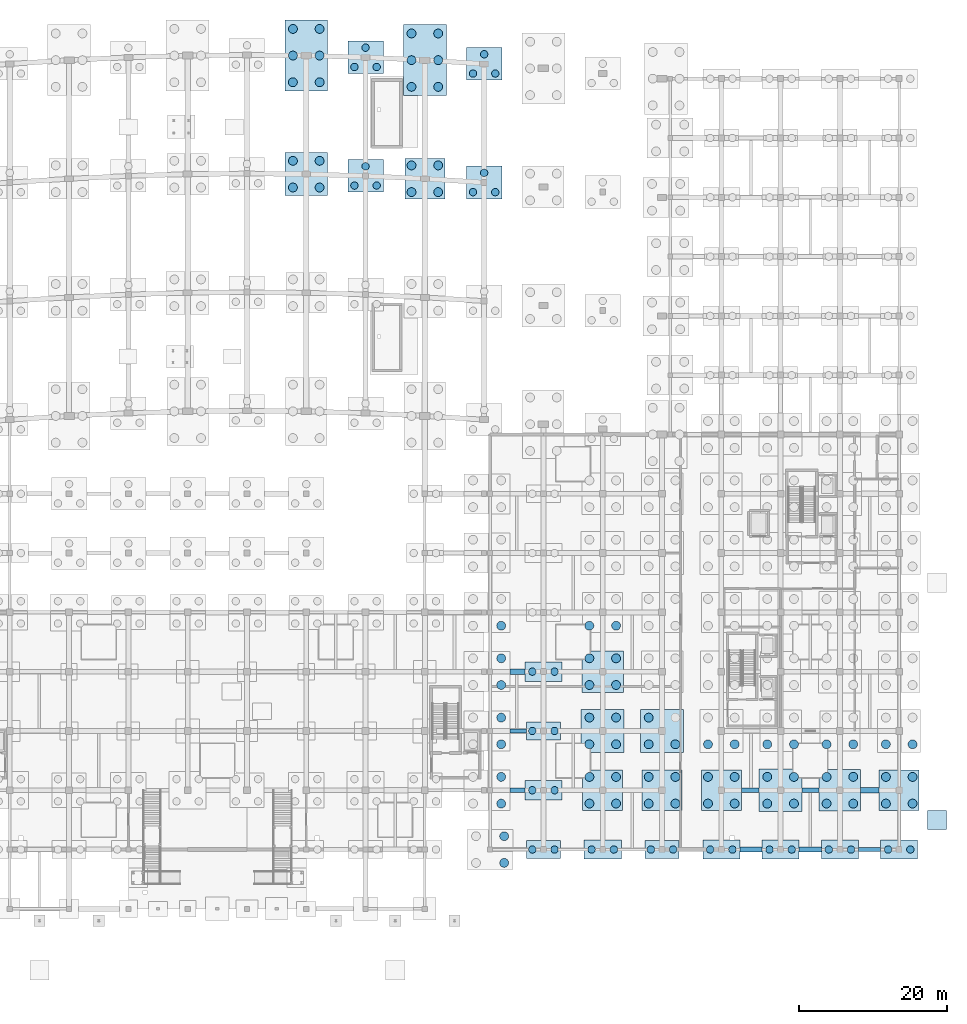
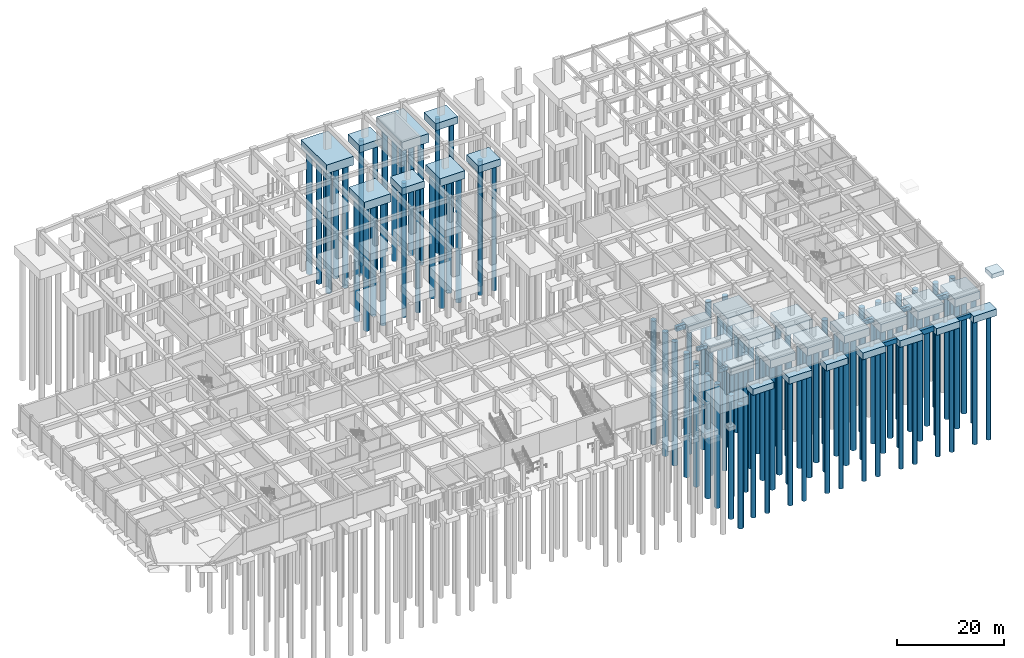
# One storey, part 6 of 45: 106 piles, 37 footings.
"""IFC4 building model written with IfcOpenShell, lengths in metres."""

from ifc_helpers import new_model, si_unit, direction, frame, origin, origin_2d, place, context, subcontext, project, spatial, rectangle, circle, extrude, material, material_profile, profile_set, type_object, element, save


model = new_model("IFC4")

# Units and contexts
model_context = context("Model", 3, precision=1e-05, world=origin(), true_north=direction((0.0, 1.0)))
body_context = subcontext(model_context, "Body", "Model", "MODEL_VIEW")
ifc_project = project(units=[si_unit("LENGTHUNIT", "METRE"), si_unit("AREAUNIT", "SQUARE_METRE"), si_unit("VOLUMEUNIT", "CUBIC_METRE"), si_unit("PLANEANGLEUNIT", "RADIAN"), si_unit("MASSUNIT", "GRAM", prefix="KILO")], contexts=[model_context])

# Site, building, storey
site_placement = place(None, origin())
site = spatial("IfcSite", under=ifc_project, at=site_placement, CompositionType="ELEMENT")
building_placement = place(site_placement, origin())
building = spatial("IfcBuilding", under=site, at=building_placement, Name="Kenh Van Central Station", CompositionType="ELEMENT")
storey_placement = place(building_placement, frame((0.0, 0.0, -5.39990234375)))
storey = spatial("IfcBuildingStorey", under=building, at=storey_placement, Name="B1", CompositionType="ELEMENT", Elevation=-5.39990234375)

# Footings
ifc_material = material(Name="Concrete C40/50", Category="concrete")
ifc_material_profile_1 = material_profile(ifc_material, rectangle(XDim=0.5, YDim=0.89990234375, at=origin_2d()), Name="RC 500x900")
ifc_profile_set_1 = profile_set([ifc_material_profile_1], Name="Concrete C40/50")
footing_type_1 = type_object("IfcFootingType", Name="FBM-500x900", PredefinedType="FOOTING_BEAM", material=ifc_profile_set_1)
footing_1_placement = place(storey_placement, frame((123.5, 24.0, -0.85009765625), z_axis=(1.0, 0.0, 0.0), x_axis=(0.0, 1.0, 0.0)))
element("IfcFooting", 1, at=footing_1_placement, inside=storey, type_object=footing_type_1, Name="Ground tie beam 084", PredefinedType="FOOTING_BEAM", context=body_context, shape_type="SweptSolid", body=[
    extrude(rectangle(XDim=0.5, YDim=0.89990234375, at=origin_2d()), origin(), (0.0, 0.0, 1.0), 2.199951171875),
])
footing_2_placement = place(storey_placement, frame((170.5, 8.0, -0.85009765625), z_axis=(1.0, 0.0, 0.0), x_axis=(0.0, 1.0, 0.0)))
element("IfcFooting", 2, at=footing_2_placement, inside=storey, type_object=footing_type_1, Name="Ground tie beam 119", PredefinedType="FOOTING_BEAM", context=body_context, shape_type="SweptSolid", body=[
    extrude(rectangle(XDim=0.5, YDim=0.89990234375, at=origin_2d()), origin(), (0.0, 0.0, 1.0), 3.0),
])
ifc_material_profile_2 = material_profile(ifc_material, rectangle(XDim=0.550048828125, YDim=0.949951171875, at=origin_2d()), Name="RC 550x950")
ifc_profile_set_2 = profile_set([ifc_material_profile_2], Name="Concrete C40/50")
footing_type_2 = type_object("IfcFootingType", Name="FBM-550x950", PredefinedType="FOOTING_BEAM", material=ifc_profile_set_2)
footing_3_placement = place(storey_placement, frame((123.5, 16.0, -0.875), z_axis=(1.0, 0.0, 0.0), x_axis=(0.0, 1.0, 0.0)))
element("IfcFooting", 3, at=footing_3_placement, inside=storey, type_object=footing_type_2, Name="Ground tie beam 083", PredefinedType="FOOTING_BEAM", context=body_context, shape_type="SweptSolid", body=[
    extrude(rectangle(XDim=0.550048828125, YDim=0.949951171875, at=origin_2d()), origin(), (0.0, 0.0, 1.0), 2.0),
])
ifc_material_profile_3 = material_profile(ifc_material, rectangle(XDim=0.60009765625, YDim=1.0, at=origin_2d()), Name="RC 600x1000")
ifc_profile_set_3 = profile_set([ifc_material_profile_3], Name="Concrete C40/50")
footing_type_3 = type_object("IfcFootingType", Name="FBM-600x1000", PredefinedType="FOOTING_BEAM", material=ifc_profile_set_3)
footing_4_placement = place(storey_placement, frame((154.699951171875, 16.0, -0.900146484375), z_axis=(1.0, 0.0, 0.0), x_axis=(0.0, 1.0, 0.0)))
element("IfcFooting", 4, at=footing_4_placement, inside=storey, type_object=footing_type_3, Name="Ground tie beam 102", PredefinedType="FOOTING_BEAM", context=body_context, shape_type="SweptSolid", body=[
    extrude(rectangle(XDim=0.60009765625, YDim=1.0, at=origin_2d()), origin(), (0.0, 0.0, 1.0), 2.400146484375),
])
ifc_material_profile_4 = material_profile(ifc_material, rectangle(XDim=0.64990234375, YDim=1.050048828125, at=origin_2d()), Name="RC 650x1050")
ifc_profile_set_4 = profile_set([ifc_material_profile_4], Name="Concrete C40/50")
footing_type_4 = type_object("IfcFootingType", Name="FBM-650x1050", PredefinedType="FOOTING_BEAM", material=ifc_profile_set_4)
footing_5_placement = place(storey_placement, frame((154.5, 8.0, -0.925048828125), z_axis=(1.0, 0.0, 0.0), x_axis=(0.0, 1.0, 0.0)))
element("IfcFooting", 5, at=footing_5_placement, inside=storey, type_object=footing_type_4, Name="Ground tie beam 101", PredefinedType="FOOTING_BEAM", context=body_context, shape_type="SweptSolid", body=[
    extrude(rectangle(XDim=0.64990234375, YDim=1.050048828125, at=origin_2d()), origin(), (0.0, 0.0, 1.0), 3.0),
])
footing_6_placement = place(storey_placement, frame((162.89990234375, 16.0, -0.925048828125), z_axis=(1.0, 0.0, 0.0), x_axis=(0.0, 1.0, 0.0)))
element("IfcFooting", 6, at=footing_6_placement, inside=storey, type_object=footing_type_4, Name="Ground tie beam 111", PredefinedType="FOOTING_BEAM", context=body_context, shape_type="SweptSolid", body=[
    extrude(rectangle(XDim=0.64990234375, YDim=1.050048828125, at=origin_2d()), origin(), (0.0, 0.0, 1.0), 2.300048828125),
])
ifc_material_profile_5 = material_profile(ifc_material, rectangle(XDim=0.699951171875, YDim=1.14990234375, at=origin_2d()), Name="RC 700x1150")
ifc_profile_set_5 = profile_set([ifc_material_profile_5], Name="Concrete C40/50")
footing_type_5 = type_object("IfcFootingType", Name="FBM-700x1150", PredefinedType="FOOTING_BEAM", material=ifc_profile_set_5)
footing_7_placement = place(storey_placement, frame((123.5, 32.0, -0.97509765625), z_axis=(1.0, 0.0, 0.0), x_axis=(0.0, 1.0, 0.0)))
element("IfcFooting", 7, at=footing_7_placement, inside=storey, type_object=footing_type_5, Name="Ground tie beam 085", PredefinedType="FOOTING_BEAM", context=body_context, shape_type="SweptSolid", body=[
    extrude(rectangle(XDim=0.699951171875, YDim=1.14990234375, at=origin_2d()), origin(), (0.0, 0.0, 1.0), 2.0),
])
footing_8_placement = place(storey_placement, frame((162.5, 8.0, -0.97509765625), z_axis=(1.0, 0.0, 0.0), x_axis=(0.0, 1.0, 0.0)))
element("IfcFooting", 8, at=footing_8_placement, inside=storey, type_object=footing_type_5, Name="Ground tie beam 110", PredefinedType="FOOTING_BEAM", context=body_context, shape_type="SweptSolid", body=[
    extrude(rectangle(XDim=0.699951171875, YDim=1.14990234375, at=origin_2d()), origin(), (0.0, 0.0, 1.0), 3.0),
])
footing_9_placement = place(storey_placement, frame((170.800048828125, 16.0, -0.97509765625), z_axis=(1.0, 0.0, 0.0), x_axis=(0.0, 1.0, 0.0)))
element("IfcFooting", 9, at=footing_9_placement, inside=storey, type_object=footing_type_5, Name="Ground tie beam 120", PredefinedType="FOOTING_BEAM", context=body_context, shape_type="SweptSolid", body=[
    extrude(rectangle(XDim=0.699951171875, YDim=1.14990234375, at=origin_2d()), origin(), (0.0, 0.0, 1.0), 2.5),
])
footing_type_6 = type_object("IfcFootingType", Name="FCAP-2P-4600x2400x1450", PredefinedType="PILE_CAP", material=ifc_material)
for number, where, z_axis, x_axis, name in (
    (10, (128.0, 8.0, -1.85009765625), (0.0, 0.0, 1.0), (1.0, 0.0, 0.0), "Foundation FDN-191"),
    (11, (128.0, 24.0, -1.85009765625), (0.0, 0.0, 1.0), (1.0, 0.0, 0.0), "Foundation FDN-193"),
    (12, (144.0, 8.0, -1.85009765625), (0.0, 0.0, 1.0), (1.0, 0.0, 0.0), "Foundation FDN-205"),
):
    element("IfcFooting", number, at=place(storey_placement, frame(where, z_axis=z_axis, x_axis=x_axis)), inside=storey, type_object=footing_type_6, Name=name, PredefinedType="PILE_CAP", context=body_context, shape_type="SweptSolid", body=[
        extrude(rectangle(XDim=4.60009765625, YDim=2.39990234375, at=origin_2d()), origin(), (0.0, 0.0, 1.0), 1.449951171875),
    ])
footing_type_7 = type_object("IfcFootingType", Name="FCAP-2P-5000x2600x1550", PredefinedType="PILE_CAP", material=ifc_material)
for number, where, z_axis, x_axis, name in (
    (13, (128.0, 16.0, -1.9501953125), (0.0, 0.0, 1.0), (1.0, 0.0, 0.0), "Foundation FDN-192"),
    (14, (128.0, 32.0, -1.9501953125), (0.0, 0.0, 1.0), (1.0, 0.0, 0.0), "Foundation FDN-194"),
    (15, (136.0, 8.0, -1.9501953125), (0.0, 0.0, 1.0), (1.0, 0.0, 0.0), "Foundation FDN-198"),
    (16, (152.0, 8.0, -1.9501953125), (0.0, 0.0, 1.0), (1.0, 0.0, 0.0), "Foundation FDN-212"),
    (17, (160.0, 8.0, -1.9501953125), (0.0, 0.0, 1.0), (1.0, 0.0, 0.0), "Foundation FDN-220"),
    (18, (168.0, 8.0, -1.9501953125), (0.0, 0.0, 1.0), (1.0, 0.0, 0.0), "Foundation FDN-228"),
    (19, (176.0, 8.0, -1.9501953125), (0.0, 0.0, 1.0), (1.0, 0.0, 0.0), "Foundation FDN-236"),
):
    element("IfcFooting", number, at=place(storey_placement, frame(where, z_axis=z_axis, x_axis=x_axis)), inside=storey, type_object=footing_type_7, Name=name, PredefinedType="PILE_CAP", context=body_context, shape_type="SweptSolid", body=[
        extrude(rectangle(XDim=5.0, YDim=2.60009765625, at=origin_2d()), origin(), (0.0, 0.0, 1.0), 1.550048828125),
    ])
footing_type_8 = type_object("IfcFootingType", Name="FCAP-3P-4800x4400x1600", PredefinedType="PILE_CAP", material=ifc_material)
for number, where, z_axis, x_axis, name in (
    (20, (104.0, 98.883056640625, -2.000244140625), (0.0, 0.0, 1.0), (1.0, 0.0, 0.0), "Foundation FDN-039"),
    (21, (104.0, 114.883056640625, -2.000244140625), (0.0, 0.0, 1.0), (1.0, 0.0, 0.0), "Foundation FDN-040"),
    (22, (120.0, 97.9951171875, -2.000244140625), (0.0, 0.0, 1.0), (1.0, 0.0, 0.0), "Foundation FDN-047"),
    (23, (120.0, 113.9951171875, -2.000244140625), (0.0, 0.0, 1.0), (1.0, 0.0, 0.0), "Foundation FDN-048"),
):
    element("IfcFooting", number, at=place(storey_placement, frame(where, z_axis=z_axis, x_axis=x_axis)), inside=storey, type_object=footing_type_8, Name=name, PredefinedType="PILE_CAP", context=body_context, shape_type="SweptSolid", body=[
        extrude(rectangle(XDim=4.800048828125, YDim=4.39990234375, at=origin_2d()), origin(), (0.0, 0.0, 1.0), 1.60009765625),
    ])
footing_type_9 = type_object("IfcFootingType", Name="FCAP-4P-5400x5400x1800", PredefinedType="PILE_CAP", material=ifc_material)
for number, where, z_axis, x_axis, name in (
    (24, (112.0, 98.501953125, -2.2001953125), (0.0, 0.0, 1.0), (1.0, 0.0, 0.0), "Foundation FDN-043"),
    (25, (136.0, 16.0, -2.2001953125), (0.0, 0.0, 1.0), (1.0, 0.0, 0.0), "Foundation FDN-199"),
    (26, (144.0, 16.0, -2.2001953125), (0.0, 0.0, 1.0), (1.0, 0.0, 0.0), "Foundation FDN-206"),
    (27, (152.0, 16.0, -2.2001953125), (0.0, 0.0, 1.0), (1.0, 0.0, 0.0), "Foundation FDN-213"),
    (28, (176.0, 16.0, -2.2001953125), (0.0, 0.0, 1.0), (1.0, 0.0, 0.0), "Foundation FDN-237"),
):
    element("IfcFooting", number, at=place(storey_placement, frame(where, z_axis=z_axis, x_axis=x_axis)), inside=storey, type_object=footing_type_9, Name=name, PredefinedType="PILE_CAP", context=body_context, shape_type="SweptSolid", body=[
        extrude(rectangle(XDim=5.39990234375, YDim=5.39990234375, at=origin_2d()), origin(), (0.0, 0.0, 1.0), 1.800048828125),
    ])
footing_type_10 = type_object("IfcFootingType", Name="FCAP-4P-5600x5600x1850", PredefinedType="PILE_CAP", material=ifc_material)
for number, where, z_axis, x_axis, name in (
    (29, (136.0, 32.0, -2.250244140625), (0.0, 0.0, 1.0), (1.0, 0.0, 0.0), "Foundation FDN-201"),
    (30, (168.0, 16.0, -2.250244140625), (0.0, 0.0, 1.0), (1.0, 0.0, 0.0), "Foundation FDN-229"),
):
    element("IfcFooting", number, at=place(storey_placement, frame(where, z_axis=z_axis, x_axis=x_axis)), inside=storey, type_object=footing_type_10, Name=name, PredefinedType="PILE_CAP", context=body_context, shape_type="SweptSolid", body=[
        extrude(rectangle(XDim=5.60009765625, YDim=5.60009765625, at=origin_2d()), origin(), (0.0, 0.0, 1.0), 1.85009765625),
    ])
footing_type_11 = type_object("IfcFootingType", Name="FCAP-4P-5800x5800x1900", PredefinedType="PILE_CAP", material=ifc_material)
for number, where, z_axis, x_axis, name in (
    (31, (96.0, 99.119873046875, -2.300048828125), (0.0, 0.0, 1.0), (1.0, 0.0, 0.0), "Foundation FDN-035"),
    (32, (136.0, 24.0, -2.300048828125), (0.0, 0.0, 1.0), (1.0, 0.0, 0.0), "Foundation FDN-200"),
    (33, (144.0, 24.0, -2.300048828125), (0.0, 0.0, 1.0), (1.0, 0.0, 0.0), "Foundation FDN-207"),
    (34, (160.0, 16.0, -2.300048828125), (0.0, 0.0, 1.0), (1.0, 0.0, 0.0), "Foundation FDN-221"),
):
    element("IfcFooting", number, at=place(storey_placement, frame(where, z_axis=z_axis, x_axis=x_axis)), inside=storey, type_object=footing_type_11, Name=name, PredefinedType="PILE_CAP", context=body_context, shape_type="SweptSolid", body=[
        extrude(rectangle(XDim=5.800048828125, YDim=5.800048828125, at=origin_2d()), origin(), (0.0, 0.0, 1.0), 1.89990234375),
    ])
footing_type_12 = type_object("IfcFootingType", Name="FCAP-6P-9600x5800x2000", PredefinedType="PILE_CAP", material=ifc_material)
for number, where, z_axis, x_axis, name in (
    (35, (96.0, 115.119873046875, -2.400146484375), (0.0, 0.0, 1.0), (0.0, 1.0, 0.0), "Foundation FDN-036"),
    (36, (112.0, 114.501953125, -2.400146484375), (0.0, 0.0, 1.0), (0.0, 1.0, 0.0), "Foundation FDN-044"),
):
    element("IfcFooting", number, at=place(storey_placement, frame(where, z_axis=z_axis, x_axis=x_axis)), inside=storey, type_object=footing_type_12, Name=name, PredefinedType="PILE_CAP", context=body_context, shape_type="SweptSolid", body=[
        extrude(rectangle(XDim=9.60009765625, YDim=5.800048828125, at=origin_2d()), origin(), (0.0, 0.0, 1.0), 2.0),
    ])
footing_type_13 = type_object("IfcFootingType", Name="FPAD-2600x2600x950", PredefinedType="PAD_FOOTING", material=ifc_material)
footing_10_placement = place(storey_placement, frame((181.10009765625, 12.0, 3.64990234375), z_axis=(0.0, 0.0, 1.0), x_axis=(-1.0, 0.0, 0.0)))
element("IfcFooting", 37, at=footing_10_placement, inside=storey, type_object=footing_type_13, Name="Fire Command Street Threshold Ramp landing footing", PredefinedType="PAD_FOOTING", context=body_context, shape_type="SweptSolid", body=[
    extrude(rectangle(XDim=2.60009765625, YDim=2.60009765625, at=origin_2d()), origin(), (0.0, 0.0, 1.0), 0.949951171875),
])

# Piles
ifc_material_profile_6 = material_profile(ifc_material, circle(Radius=0.5, at=origin_2d()), Name="PILE D1000")
ifc_profile_set_6 = profile_set([ifc_material_profile_6], Name="Concrete C40/50")
pile_type_1 = type_object("IfcPileType", Name="PILE-BORED-1000", PredefinedType="BORED", material=ifc_profile_set_6)
for number, where, z_axis, x_axis, name in (
    (38, (102.5, 97.5830078125, -1.900146484375), (0.0, 0.0, -1.0), (1.0, 0.0, 0.0), "Bored pile 0155"),
    (39, (105.5, 97.5830078125, -1.900146484375), (0.0, 0.0, -1.0), (1.0, 0.0, 0.0), "Bored pile 0156"),
    (40, (104.0, 100.18310546875, -1.900146484375), (0.0, 0.0, -1.0), (1.0, 0.0, 0.0), "Bored pile 0157"),
    (41, (102.5, 113.5830078125, -1.900146484375), (0.0, 0.0, -1.0), (1.0, 0.0, 0.0), "Bored pile 0158"),
    (42, (105.5, 113.5830078125, -1.900146484375), (0.0, 0.0, -1.0), (1.0, 0.0, 0.0), "Bored pile 0159"),
    (43, (104.0, 116.18310546875, -1.900146484375), (0.0, 0.0, -1.0), (1.0, 0.0, 0.0), "Bored pile 0160"),
    (44, (118.5, 96.6953125, -1.900146484375), (0.0, 0.0, -1.0), (1.0, 0.0, 0.0), "Bored pile 0187"),
    (45, (121.5, 96.6953125, -1.900146484375), (0.0, 0.0, -1.0), (1.0, 0.0, 0.0), "Bored pile 0188"),
    (46, (120.0, 99.295166015625, -1.900146484375), (0.0, 0.0, -1.0), (1.0, 0.0, 0.0), "Bored pile 0189"),
    (47, (118.5, 112.6953125, -1.900146484375), (0.0, 0.0, -1.0), (1.0, 0.0, 0.0), "Bored pile 0190"),
    (48, (121.5, 112.6953125, -1.900146484375), (0.0, 0.0, -1.0), (1.0, 0.0, 0.0), "Bored pile 0191"),
    (49, (120.0, 115.295166015625, -1.900146484375), (0.0, 0.0, -1.0), (1.0, 0.0, 0.0), "Bored pile 0192"),
):
    element("IfcPile", number, at=place(storey_placement, frame(where, z_axis=z_axis, x_axis=x_axis)), inside=storey, type_object=pile_type_1, Name=name, PredefinedType="BORED", context=body_context, shape_type="SweptSolid", body=[
        extrude(circle(Radius=0.5, at=origin_2d()), origin(), (0.0, 0.0, 1.0), 28.699951171875),
    ])
for number, where, z_axis, x_axis, name in (
    (50, (126.5, 8.0, -1.75), (0.0, 0.0, -1.0), (1.0, 0.0, 0.0), "Bored pile 0450"),
    (51, (129.5, 8.0, -1.75), (0.0, 0.0, -1.0), (1.0, 0.0, 0.0), "Bored pile 0451"),
):
    element("IfcPile", number, at=place(storey_placement, frame(where, z_axis=z_axis, x_axis=x_axis)), inside=storey, type_object=pile_type_1, Name=name, PredefinedType="BORED", context=body_context, shape_type="SweptSolid", body=[
        extrude(circle(Radius=0.5, at=origin_2d()), origin(), (0.0, 0.0, 1.0), 28.85009765625),
    ])
for number, where, z_axis, x_axis, name in (
    (52, (126.5, 16.0, -1.85009765625), (0.0, 0.0, -1.0), (1.0, 0.0, 0.0), "Bored pile 0452"),
    (53, (129.5, 16.0, -1.85009765625), (0.0, 0.0, -1.0), (1.0, 0.0, 0.0), "Bored pile 0453"),
):
    element("IfcPile", number, at=place(storey_placement, frame(where, z_axis=z_axis, x_axis=x_axis)), inside=storey, type_object=pile_type_1, Name=name, PredefinedType="BORED", context=body_context, shape_type="SweptSolid", body=[
        extrude(circle(Radius=0.5, at=origin_2d()), origin(), (0.0, 0.0, 1.0), 28.75),
    ])
for number, where, z_axis, x_axis, name in (
    (54, (126.5, 24.0, -1.75), (0.0, 0.0, -1.0), (1.0, 0.0, 0.0), "Bored pile 0454"),
    (55, (129.5, 24.0, -1.75), (0.0, 0.0, -1.0), (1.0, 0.0, 0.0), "Bored pile 0455"),
):
    element("IfcPile", number, at=place(storey_placement, frame(where, z_axis=z_axis, x_axis=x_axis)), inside=storey, type_object=pile_type_1, Name=name, PredefinedType="BORED", context=body_context, shape_type="SweptSolid", body=[
        extrude(circle(Radius=0.5, at=origin_2d()), origin(), (0.0, 0.0, 1.0), 28.85009765625),
    ])
for number, where, z_axis, x_axis, name in (
    (56, (126.5, 32.0, -1.85009765625), (0.0, 0.0, -1.0), (1.0, 0.0, 0.0), "Bored pile 0456"),
    (57, (129.5, 32.0, -1.85009765625), (0.0, 0.0, -1.0), (1.0, 0.0, 0.0), "Bored pile 0457"),
    (58, (134.5, 8.0, -1.85009765625), (0.0, 0.0, -1.0), (1.0, 0.0, 0.0), "Bored pile 0464"),
    (59, (137.5, 8.0, -1.85009765625), (0.0, 0.0, -1.0), (1.0, 0.0, 0.0), "Bored pile 0465"),
):
    element("IfcPile", number, at=place(storey_placement, frame(where, z_axis=z_axis, x_axis=x_axis)), inside=storey, type_object=pile_type_1, Name=name, PredefinedType="BORED", context=body_context, shape_type="SweptSolid", body=[
        extrude(circle(Radius=0.5, at=origin_2d()), origin(), (0.0, 0.0, 1.0), 28.75),
    ])
for number, where, z_axis, x_axis, name in (
    (60, (142.5, 8.0, -1.75), (0.0, 0.0, -1.0), (1.0, 0.0, 0.0), "Bored pile 0490"),
    (61, (145.5, 8.0, -1.75), (0.0, 0.0, -1.0), (1.0, 0.0, 0.0), "Bored pile 0491"),
):
    element("IfcPile", number, at=place(storey_placement, frame(where, z_axis=z_axis, x_axis=x_axis)), inside=storey, type_object=pile_type_1, Name=name, PredefinedType="BORED", context=body_context, shape_type="SweptSolid", body=[
        extrude(circle(Radius=0.5, at=origin_2d()), origin(), (0.0, 0.0, 1.0), 28.85009765625),
    ])
for number, where, z_axis, x_axis, name in (
    (62, (150.5, 8.0, -1.85009765625), (0.0, 0.0, -1.0), (1.0, 0.0, 0.0), "Bored pile 0516"),
    (63, (153.5, 8.0, -1.85009765625), (0.0, 0.0, -1.0), (1.0, 0.0, 0.0), "Bored pile 0517"),
    (64, (158.5, 8.0, -1.85009765625), (0.0, 0.0, -1.0), (1.0, 0.0, 0.0), "Bored pile 0546"),
    (65, (161.5, 8.0, -1.85009765625), (0.0, 0.0, -1.0), (1.0, 0.0, 0.0), "Bored pile 0547"),
    (66, (166.5, 8.0, -1.85009765625), (0.0, 0.0, -1.0), (1.0, 0.0, 0.0), "Bored pile 0576"),
    (67, (169.5, 8.0, -1.85009765625), (0.0, 0.0, -1.0), (1.0, 0.0, 0.0), "Bored pile 0577"),
    (68, (174.5, 8.0, -1.85009765625), (0.0, 0.0, -1.0), (1.0, 0.0, 0.0), "Bored pile 0606"),
    (69, (177.5, 8.0, -1.85009765625), (0.0, 0.0, -1.0), (1.0, 0.0, 0.0), "Bored pile 0607"),
):
    element("IfcPile", number, at=place(storey_placement, frame(where, z_axis=z_axis, x_axis=x_axis)), inside=storey, type_object=pile_type_1, Name=name, PredefinedType="BORED", context=body_context, shape_type="SweptSolid", body=[
        extrude(circle(Radius=0.5, at=origin_2d()), origin(), (0.0, 0.0, 1.0), 28.75),
    ])
ifc_material_profile_7 = material_profile(ifc_material, circle(Radius=0.60009765625, at=origin_2d()), Name="PILE D1200")
ifc_profile_set_7 = profile_set([ifc_material_profile_7], Name="Concrete C40/50")
pile_type_2 = type_object("IfcPileType", Name="PILE-BORED-1200", PredefinedType="BORED", material=ifc_profile_set_7)
for number, where, z_axis, x_axis, name in (
    (70, (94.199951171875, 97.31982421875, -2.2001953125), (0.0, 0.0, -1.0), (1.0, 0.0, 0.0), "Bored pile 0139"),
    (71, (94.199951171875, 100.919921875, -2.2001953125), (0.0, 0.0, -1.0), (1.0, 0.0, 0.0), "Bored pile 0140"),
    (72, (97.800048828125, 97.31982421875, -2.2001953125), (0.0, 0.0, -1.0), (1.0, 0.0, 0.0), "Bored pile 0141"),
    (73, (97.800048828125, 100.919921875, -2.2001953125), (0.0, 0.0, -1.0), (1.0, 0.0, 0.0), "Bored pile 0142"),
):
    element("IfcPile", number, at=place(storey_placement, frame(where, z_axis=z_axis, x_axis=x_axis)), inside=storey, type_object=pile_type_2, Name=name, PredefinedType="BORED", context=body_context, shape_type="SweptSolid", body=[
        extrude(circle(Radius=0.60009765625, at=origin_2d()), origin(), (0.0, 0.0, 1.0), 28.39990234375),
    ])
for number, where, z_axis, x_axis, name in (
    (74, (94.199951171875, 111.519775390625, -2.300048828125), (0.0, 0.0, -1.0), (1.0, 0.0, 0.0), "Bored pile 0143"),
    (75, (94.199951171875, 115.119873046875, -2.300048828125), (0.0, 0.0, -1.0), (1.0, 0.0, 0.0), "Bored pile 0144"),
    (76, (94.199951171875, 118.7197265625, -2.300048828125), (0.0, 0.0, -1.0), (1.0, 0.0, 0.0), "Bored pile 0145"),
    (77, (97.800048828125, 111.519775390625, -2.300048828125), (0.0, 0.0, -1.0), (1.0, 0.0, 0.0), "Bored pile 0146"),
    (78, (97.800048828125, 115.119873046875, -2.300048828125), (0.0, 0.0, -1.0), (1.0, 0.0, 0.0), "Bored pile 0147"),
    (79, (97.800048828125, 118.7197265625, -2.300048828125), (0.0, 0.0, -1.0), (1.0, 0.0, 0.0), "Bored pile 0148"),
):
    element("IfcPile", number, at=place(storey_placement, frame(where, z_axis=z_axis, x_axis=x_axis)), inside=storey, type_object=pile_type_2, Name=name, PredefinedType="BORED", context=body_context, shape_type="SweptSolid", body=[
        extrude(circle(Radius=0.60009765625, at=origin_2d()), origin(), (0.0, 0.0, 1.0), 28.300048828125),
    ])
for number, where, z_axis, x_axis, name in (
    (80, (110.199951171875, 96.701904296875, -2.10009765625), (0.0, 0.0, -1.0), (1.0, 0.0, 0.0), "Bored pile 0171"),
    (81, (110.199951171875, 100.302001953125, -2.10009765625), (0.0, 0.0, -1.0), (1.0, 0.0, 0.0), "Bored pile 0172"),
    (82, (113.800048828125, 96.701904296875, -2.10009765625), (0.0, 0.0, -1.0), (1.0, 0.0, 0.0), "Bored pile 0173"),
    (83, (113.800048828125, 100.302001953125, -2.10009765625), (0.0, 0.0, -1.0), (1.0, 0.0, 0.0), "Bored pile 0174"),
):
    element("IfcPile", number, at=place(storey_placement, frame(where, z_axis=z_axis, x_axis=x_axis)), inside=storey, type_object=pile_type_2, Name=name, PredefinedType="BORED", context=body_context, shape_type="SweptSolid", body=[
        extrude(circle(Radius=0.60009765625, at=origin_2d()), origin(), (0.0, 0.0, 1.0), 28.5),
    ])
for number, where, z_axis, x_axis, name in (
    (84, (110.199951171875, 110.90185546875, -2.300048828125), (0.0, 0.0, -1.0), (1.0, 0.0, 0.0), "Bored pile 0175"),
    (85, (110.199951171875, 114.501953125, -2.300048828125), (0.0, 0.0, -1.0), (1.0, 0.0, 0.0), "Bored pile 0176"),
    (86, (110.199951171875, 118.101806640625, -2.300048828125), (0.0, 0.0, -1.0), (1.0, 0.0, 0.0), "Bored pile 0177"),
    (87, (113.800048828125, 110.90185546875, -2.300048828125), (0.0, 0.0, -1.0), (1.0, 0.0, 0.0), "Bored pile 0178"),
    (88, (113.800048828125, 114.501953125, -2.300048828125), (0.0, 0.0, -1.0), (1.0, 0.0, 0.0), "Bored pile 0179"),
    (89, (113.800048828125, 118.101806640625, -2.300048828125), (0.0, 0.0, -1.0), (1.0, 0.0, 0.0), "Bored pile 0180"),
):
    element("IfcPile", number, at=place(storey_placement, frame(where, z_axis=z_axis, x_axis=x_axis)), inside=storey, type_object=pile_type_2, Name=name, PredefinedType="BORED", context=body_context, shape_type="SweptSolid", body=[
        extrude(circle(Radius=0.60009765625, at=origin_2d()), origin(), (0.0, 0.0, 1.0), 28.300048828125),
    ])
for number, where, z_axis, x_axis, name in (
    (90, (122.300048828125, 14.199951171875, -2.25), (0.0, 0.0, -1.0), (1.0, 0.0, 0.0), "Bored pile 0386"),
    (91, (122.300048828125, 17.800048828125, -2.25), (0.0, 0.0, -1.0), (1.0, 0.0, 0.0), "Bored pile 0387"),
    (92, (122.300048828125, 22.199951171875, -2.25), (0.0, 0.0, -1.0), (1.0, 0.0, 0.0), "Bored pile 0390"),
    (93, (122.300048828125, 25.800048828125, -2.25), (0.0, 0.0, -1.0), (1.0, 0.0, 0.0), "Bored pile 0391"),
    (94, (122.300048828125, 30.199951171875, -2.25), (0.0, 0.0, -1.0), (1.0, 0.0, 0.0), "Bored pile 0394"),
    (95, (122.300048828125, 33.800048828125, -2.25), (0.0, 0.0, -1.0), (1.0, 0.0, 0.0), "Bored pile 0395"),
    (96, (122.300048828125, 38.199951171875, -2.25), (0.0, 0.0, -1.0), (1.0, 0.0, 0.0), "Bored pile 0398"),
    (97, (122.699951171875, 6.199951171875, -2.25), (0.0, 0.0, -1.0), (1.0, 0.0, 0.0), "Bored pile 0448"),
    (98, (122.699951171875, 9.800048828125, -2.25), (0.0, 0.0, -1.0), (1.0, 0.0, 0.0), "Bored pile 0449"),
):
    element("IfcPile", number, at=place(storey_placement, frame(where, z_axis=z_axis, x_axis=x_axis)), inside=storey, type_object=pile_type_2, Name=name, PredefinedType="BORED", context=body_context, shape_type="SweptSolid", body=[
        extrude(circle(Radius=0.60009765625, at=origin_2d()), origin(), (0.0, 0.0, 1.0), 28.35009765625),
    ])
for number, where, z_axis, x_axis, name in (
    (99, (134.199951171875, 14.199951171875, -2.10009765625), (0.0, 0.0, -1.0), (1.0, 0.0, 0.0), "Bored pile 0466"),
    (100, (134.199951171875, 17.800048828125, -2.10009765625), (0.0, 0.0, -1.0), (1.0, 0.0, 0.0), "Bored pile 0467"),
    (101, (137.800048828125, 14.199951171875, -2.10009765625), (0.0, 0.0, -1.0), (1.0, 0.0, 0.0), "Bored pile 0468"),
    (102, (137.800048828125, 17.800048828125, -2.10009765625), (0.0, 0.0, -1.0), (1.0, 0.0, 0.0), "Bored pile 0469"),
):
    element("IfcPile", number, at=place(storey_placement, frame(where, z_axis=z_axis, x_axis=x_axis)), inside=storey, type_object=pile_type_2, Name=name, PredefinedType="BORED", context=body_context, shape_type="SweptSolid", body=[
        extrude(circle(Radius=0.60009765625, at=origin_2d()), origin(), (0.0, 0.0, 1.0), 28.5),
    ])
for number, where, z_axis, x_axis, name in (
    (103, (134.199951171875, 22.199951171875, -2.2001953125), (0.0, 0.0, -1.0), (1.0, 0.0, 0.0), "Bored pile 0470"),
    (104, (134.199951171875, 25.800048828125, -2.2001953125), (0.0, 0.0, -1.0), (1.0, 0.0, 0.0), "Bored pile 0471"),
    (105, (137.800048828125, 22.199951171875, -2.2001953125), (0.0, 0.0, -1.0), (1.0, 0.0, 0.0), "Bored pile 0472"),
    (106, (137.800048828125, 25.800048828125, -2.2001953125), (0.0, 0.0, -1.0), (1.0, 0.0, 0.0), "Bored pile 0473"),
):
    element("IfcPile", number, at=place(storey_placement, frame(where, z_axis=z_axis, x_axis=x_axis)), inside=storey, type_object=pile_type_2, Name=name, PredefinedType="BORED", context=body_context, shape_type="SweptSolid", body=[
        extrude(circle(Radius=0.60009765625, at=origin_2d()), origin(), (0.0, 0.0, 1.0), 28.39990234375),
    ])
for number, where, z_axis, x_axis, name in (
    (107, (134.199951171875, 30.199951171875, -2.150146484375), (0.0, 0.0, -1.0), (1.0, 0.0, 0.0), "Bored pile 0474"),
    (108, (134.199951171875, 33.800048828125, -2.150146484375), (0.0, 0.0, -1.0), (1.0, 0.0, 0.0), "Bored pile 0475"),
    (109, (137.800048828125, 30.199951171875, -2.150146484375), (0.0, 0.0, -1.0), (1.0, 0.0, 0.0), "Bored pile 0476"),
    (110, (137.800048828125, 33.800048828125, -2.150146484375), (0.0, 0.0, -1.0), (1.0, 0.0, 0.0), "Bored pile 0477"),
):
    element("IfcPile", number, at=place(storey_placement, frame(where, z_axis=z_axis, x_axis=x_axis)), inside=storey, type_object=pile_type_2, Name=name, PredefinedType="BORED", context=body_context, shape_type="SweptSolid", body=[
        extrude(circle(Radius=0.60009765625, at=origin_2d()), origin(), (0.0, 0.0, 1.0), 28.449951171875),
    ])
for number, where, z_axis, x_axis, name in (
    (111, (134.199951171875, 38.199951171875, -2.10009765625), (0.0, 0.0, -1.0), (1.0, 0.0, 0.0), "Bored pile 0478"),
    (112, (137.800048828125, 38.199951171875, -2.10009765625), (0.0, 0.0, -1.0), (1.0, 0.0, 0.0), "Bored pile 0480"),
    (113, (142.199951171875, 14.199951171875, -2.10009765625), (0.0, 0.0, -1.0), (1.0, 0.0, 0.0), "Bored pile 0492"),
    (114, (142.199951171875, 17.800048828125, -2.10009765625), (0.0, 0.0, -1.0), (1.0, 0.0, 0.0), "Bored pile 0493"),
    (115, (145.800048828125, 14.199951171875, -2.10009765625), (0.0, 0.0, -1.0), (1.0, 0.0, 0.0), "Bored pile 0494"),
    (116, (145.800048828125, 17.800048828125, -2.10009765625), (0.0, 0.0, -1.0), (1.0, 0.0, 0.0), "Bored pile 0495"),
):
    element("IfcPile", number, at=place(storey_placement, frame(where, z_axis=z_axis, x_axis=x_axis)), inside=storey, type_object=pile_type_2, Name=name, PredefinedType="BORED", context=body_context, shape_type="SweptSolid", body=[
        extrude(circle(Radius=0.60009765625, at=origin_2d()), origin(), (0.0, 0.0, 1.0), 28.5),
    ])
for number, where, z_axis, x_axis, name in (
    (117, (142.199951171875, 22.199951171875, -2.2001953125), (0.0, 0.0, -1.0), (1.0, 0.0, 0.0), "Bored pile 0496"),
    (118, (142.199951171875, 25.800048828125, -2.2001953125), (0.0, 0.0, -1.0), (1.0, 0.0, 0.0), "Bored pile 0497"),
    (119, (145.800048828125, 22.199951171875, -2.2001953125), (0.0, 0.0, -1.0), (1.0, 0.0, 0.0), "Bored pile 0498"),
):
    element("IfcPile", number, at=place(storey_placement, frame(where, z_axis=z_axis, x_axis=x_axis)), inside=storey, type_object=pile_type_2, Name=name, PredefinedType="BORED", context=body_context, shape_type="SweptSolid", body=[
        extrude(circle(Radius=0.60009765625, at=origin_2d()), origin(), (0.0, 0.0, 1.0), 28.39990234375),
    ])
for number, where, z_axis, x_axis, name in (
    (120, (150.199951171875, 14.199951171875, -2.10009765625), (0.0, 0.0, -1.0), (1.0, 0.0, 0.0), "Bored pile 0518"),
    (121, (150.199951171875, 17.800048828125, -2.10009765625), (0.0, 0.0, -1.0), (1.0, 0.0, 0.0), "Bored pile 0519"),
    (122, (153.800048828125, 14.199951171875, -2.10009765625), (0.0, 0.0, -1.0), (1.0, 0.0, 0.0), "Bored pile 0520"),
    (123, (153.800048828125, 17.800048828125, -2.10009765625), (0.0, 0.0, -1.0), (1.0, 0.0, 0.0), "Bored pile 0521"),
):
    element("IfcPile", number, at=place(storey_placement, frame(where, z_axis=z_axis, x_axis=x_axis)), inside=storey, type_object=pile_type_2, Name=name, PredefinedType="BORED", context=body_context, shape_type="SweptSolid", body=[
        extrude(circle(Radius=0.60009765625, at=origin_2d()), origin(), (0.0, 0.0, 1.0), 28.5),
    ])
for number, where, z_axis, x_axis, name in (
    (124, (150.199951171875, 22.199951171875, -2.2001953125), (0.0, 0.0, -1.0), (1.0, 0.0, 0.0), "Bored pile 0522"),
    (125, (153.800048828125, 22.199951171875, -2.2001953125), (0.0, 0.0, -1.0), (1.0, 0.0, 0.0), "Bored pile 0524"),
    (126, (158.199951171875, 14.199951171875, -2.2001953125), (0.0, 0.0, -1.0), (1.0, 0.0, 0.0), "Bored pile 0548"),
    (127, (158.199951171875, 17.800048828125, -2.2001953125), (0.0, 0.0, -1.0), (1.0, 0.0, 0.0), "Bored pile 0549"),
    (128, (161.800048828125, 14.199951171875, -2.2001953125), (0.0, 0.0, -1.0), (1.0, 0.0, 0.0), "Bored pile 0550"),
    (129, (161.800048828125, 17.800048828125, -2.2001953125), (0.0, 0.0, -1.0), (1.0, 0.0, 0.0), "Bored pile 0551"),
):
    element("IfcPile", number, at=place(storey_placement, frame(where, z_axis=z_axis, x_axis=x_axis)), inside=storey, type_object=pile_type_2, Name=name, PredefinedType="BORED", context=body_context, shape_type="SweptSolid", body=[
        extrude(circle(Radius=0.60009765625, at=origin_2d()), origin(), (0.0, 0.0, 1.0), 28.39990234375),
    ])
for number, where, z_axis, x_axis, name in (
    (130, (158.199951171875, 22.199951171875, -2.150146484375), (0.0, 0.0, -1.0), (1.0, 0.0, 0.0), "Bored pile 0552"),
    (131, (161.800048828125, 22.199951171875, -2.150146484375), (0.0, 0.0, -1.0), (1.0, 0.0, 0.0), "Bored pile 0554"),
    (132, (166.199951171875, 14.199951171875, -2.150146484375), (0.0, 0.0, -1.0), (1.0, 0.0, 0.0), "Bored pile 0578"),
    (133, (166.199951171875, 17.800048828125, -2.150146484375), (0.0, 0.0, -1.0), (1.0, 0.0, 0.0), "Bored pile 0579"),
    (134, (169.800048828125, 14.199951171875, -2.150146484375), (0.0, 0.0, -1.0), (1.0, 0.0, 0.0), "Bored pile 0580"),
    (135, (169.800048828125, 17.800048828125, -2.150146484375), (0.0, 0.0, -1.0), (1.0, 0.0, 0.0), "Bored pile 0581"),
):
    element("IfcPile", number, at=place(storey_placement, frame(where, z_axis=z_axis, x_axis=x_axis)), inside=storey, type_object=pile_type_2, Name=name, PredefinedType="BORED", context=body_context, shape_type="SweptSolid", body=[
        extrude(circle(Radius=0.60009765625, at=origin_2d()), origin(), (0.0, 0.0, 1.0), 28.449951171875),
    ])
for number, where, z_axis, x_axis, name in (
    (136, (166.199951171875, 22.199951171875, -2.10009765625), (0.0, 0.0, -1.0), (1.0, 0.0, 0.0), "Bored pile 0582"),
    (137, (169.800048828125, 22.199951171875, -2.10009765625), (0.0, 0.0, -1.0), (1.0, 0.0, 0.0), "Bored pile 0584"),
    (138, (174.199951171875, 14.199951171875, -2.10009765625), (0.0, 0.0, -1.0), (1.0, 0.0, 0.0), "Bored pile 0608"),
    (139, (174.199951171875, 17.800048828125, -2.10009765625), (0.0, 0.0, -1.0), (1.0, 0.0, 0.0), "Bored pile 0609"),
    (140, (177.800048828125, 14.199951171875, -2.10009765625), (0.0, 0.0, -1.0), (1.0, 0.0, 0.0), "Bored pile 0610"),
    (141, (177.800048828125, 17.800048828125, -2.10009765625), (0.0, 0.0, -1.0), (1.0, 0.0, 0.0), "Bored pile 0611"),
):
    element("IfcPile", number, at=place(storey_placement, frame(where, z_axis=z_axis, x_axis=x_axis)), inside=storey, type_object=pile_type_2, Name=name, PredefinedType="BORED", context=body_context, shape_type="SweptSolid", body=[
        extrude(circle(Radius=0.60009765625, at=origin_2d()), origin(), (0.0, 0.0, 1.0), 28.5),
    ])
for number, where, z_axis, x_axis, name in (
    (142, (174.199951171875, 22.199951171875, -2.2001953125), (0.0, 0.0, -1.0), (1.0, 0.0, 0.0), "Bored pile 0612"),
    (143, (177.800048828125, 22.199951171875, -2.2001953125), (0.0, 0.0, -1.0), (1.0, 0.0, 0.0), "Bored pile 0614"),
):
    element("IfcPile", number, at=place(storey_placement, frame(where, z_axis=z_axis, x_axis=x_axis)), inside=storey, type_object=pile_type_2, Name=name, PredefinedType="BORED", context=body_context, shape_type="SweptSolid", body=[
        extrude(circle(Radius=0.60009765625, at=origin_2d()), origin(), (0.0, 0.0, 1.0), 28.39990234375),
    ])

save(model, "model.ifc")
